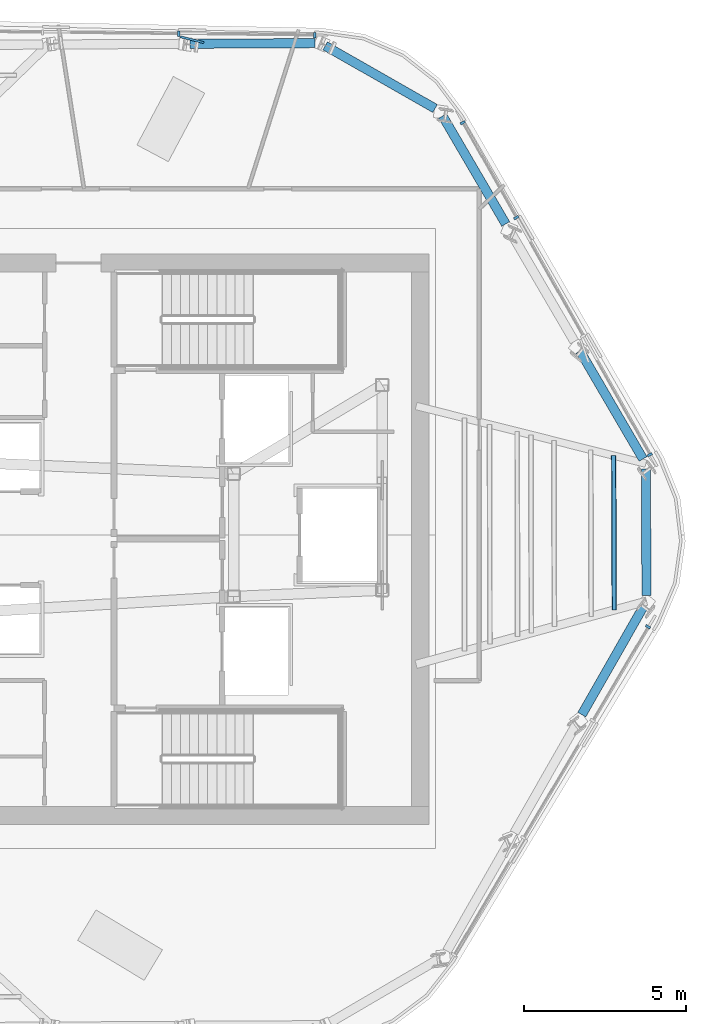
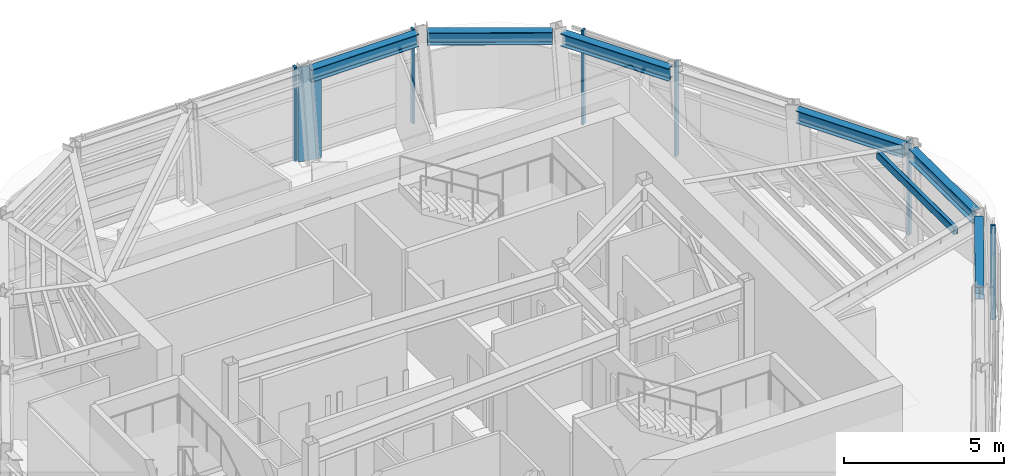
# One storey, part 5 of 13: 8 members, 6 beams, 3 elements without a shape of their own.
"""IFC4 building model written with IfcOpenShell, lengths in metres."""

from ifc_helpers import new_model, si_unit, direction, frame, origin, origin_2d, place, context, subcontext, project, spatial, rectangle, hollow_rectangle, i_section, extrude, material, layer, layer_set, material_profile, profile_set, type_object, element, aggregate, save


model = new_model("IFC4")

# Units and contexts
model_context = context("Model", 3, precision=1e-05, world=origin(), true_north=direction((0.0, 1.0)))
body_context = subcontext(model_context, "Body", "Model", "MODEL_VIEW")
ifc_project = project(units=[si_unit("LENGTHUNIT", "METRE"), si_unit("AREAUNIT", "SQUARE_METRE"), si_unit("VOLUMEUNIT", "CUBIC_METRE"), si_unit("PLANEANGLEUNIT", "RADIAN"), si_unit("MASSUNIT", "GRAM", prefix="KILO")], contexts=[model_context])

# Site, building, storey
site_placement = place(None, origin())
site = spatial("IfcSite", under=ifc_project, at=site_placement, CompositionType="ELEMENT")
building_placement = place(site_placement, origin())
building = spatial("IfcBuilding", under=site, at=building_placement, Name="Valkerne Bourse Tower", CompositionType="ELEMENT")
storey_placement = place(building_placement, frame((0.0, 0.0, 281.199951171875)))
storey = spatial("IfcBuildingStorey", under=building, at=storey_placement, Name="L71", CompositionType="ELEMENT", Elevation=281.199951171875)

# Beams
ifc_material_1 = material(Name="Steel ASTM A992", Category="steel")
ifc_material_profile_1 = material_profile(ifc_material_1, i_section(OverallWidth=0.284423828125, OverallDepth=0.47509765625, WebThickness=0.014892578125, FlangeThickness=0.02392578125, FilletRadius=0.017822265625, at=origin_2d()), Name="W18X106")
ifc_profile_set_1 = profile_set([ifc_material_profile_1], Name="Steel ASTM A992")
beam_type = type_object("IfcBeamType", Name="BM-W18X106", PredefinedType="BEAM", material=ifc_profile_set_1)
for number, where, z_axis, x_axis, name in (
    (1, (52.868408203125, 42.230712890625, 3.362548828125), (-0.999986306612, -0.005233219637, 0.0), (0.005233219637, -0.999986306612, 0.0), "L71 Hexagonal Spandrel Ring Beam 00"),
    (2, (61.129638671875, 21.44677734375, 3.362548828125), (0.495473337127, 0.868623147399, 0.0), (-0.868623147399, 0.495473337127, 0.0), "L71 Hexagonal Spandrel Ring Beam 18"),
):
    element("IfcBeam", number, at=place(storey_placement, frame(where, z_axis=z_axis, x_axis=x_axis)), inside=storey, type_object=beam_type, Name=name, PredefinedType="BEAM", context=body_context, shape_type="SweptSolid", body=[
        extrude(i_section(OverallWidth=0.284423828125, OverallDepth=0.47509765625, WebThickness=0.014892578125, FlangeThickness=0.02392578125, FilletRadius=0.017822265625, at=origin_2d()), origin(), (0.0, 0.0, 1.0), 3.8720703125),
    ])
beam_1_placement = place(storey_placement, frame((63.131591796875, 25.127685546875, 3.362548828125), z_axis=(-0.005237488956, 0.999986284261, 0.0), x_axis=(-0.999986284261, -0.005237488956, 0.0)))
element("IfcBeam", 3, at=beam_1_placement, inside=storey, type_object=beam_type, Name="L71 Hexagonal Spandrel Ring Beam 19", PredefinedType="BEAM", context=body_context, shape_type="SweptSolid", body=[
    extrude(i_section(OverallWidth=0.284423828125, OverallDepth=0.47509765625, WebThickness=0.014892578125, FlangeThickness=0.02392578125, FilletRadius=0.017822265625, at=origin_2d()), origin(), (0.0, 0.0, 1.0), 3.91552734375),
])
beam_2_placement = place(storey_placement, frame((63.0244140625, 29.360107421875, 3.362548828125), z_axis=(-0.50454909697, 0.86338300235, 0.0), x_axis=(-0.86338300235, -0.50454909697, 0.0)))
element("IfcBeam", 4, at=beam_2_placement, inside=storey, type_object=beam_type, Name="L71 Hexagonal Spandrel Ring Beam 20", PredefinedType="BEAM", context=body_context, shape_type="SweptSolid", body=[
    extrude(i_section(OverallWidth=0.284423828125, OverallDepth=0.47509765625, WebThickness=0.014892578125, FlangeThickness=0.02392578125, FilletRadius=0.017822265625, at=origin_2d()), origin(), (0.0, 0.0, 1.0), 3.8720703125),
])
beam_3_placement = place(storey_placement, frame((58.774169921875, 36.63330078125, 3.362548828125), z_axis=(-0.50450209321, 0.863410468982, 0.0), x_axis=(-0.863410468982, -0.50450209321, 0.0)))
element("IfcBeam", 5, at=beam_3_placement, inside=storey, type_object=beam_type, Name="L71 Hexagonal Spandrel Ring Beam 22", PredefinedType="BEAM", context=body_context, shape_type="SweptSolid", body=[
    extrude(i_section(OverallWidth=0.284423828125, OverallDepth=0.47509765625, WebThickness=0.014892578125, FlangeThickness=0.02392578125, FilletRadius=0.017822265625, at=origin_2d()), origin(), (0.0, 0.0, 1.0), 3.871826171875),
])
beam_4_placement = place(storey_placement, frame((56.587158203125, 40.207275390625, 3.362548828125), z_axis=(-0.868607419503, 0.495500908965, 0.0), x_axis=(-0.495500908965, -0.868607419503, 0.0)))
element("IfcBeam", 6, at=beam_4_placement, inside=storey, type_object=beam_type, Name="L71 Hexagonal Spandrel Ring Beam 23", PredefinedType="BEAM", context=body_context, shape_type="SweptSolid", body=[
    extrude(i_section(OverallWidth=0.284423828125, OverallDepth=0.47509765625, WebThickness=0.014892578125, FlangeThickness=0.02392578125, FilletRadius=0.017822265625, at=origin_2d()), origin(), (0.0, 0.0, 1.0), 3.91552734375),
])

# Curtain wall, members
ifc_material_2 = material(Name="Aluminium AA 6063-T6", Category="aluminium")
ifc_layer = layer(ifc_material_2, 0.2451171875)
ifc_layer_set = layer_set([ifc_layer], Name="Aluminium AA 6063-T6")
curtain_wall_type = type_object("IfcCurtainWallType", Name="CW-05", PredefinedType="NOTDEFINED", material=ifc_layer_set)
curtain_wall_1_placement = place(storey_placement, origin())
curtain_wall_1 = element("IfcCurtainWall", 7, at=curtain_wall_1_placement, inside=storey, type_object=curtain_wall_type, Name="L71 Hexagonal Stick Curtain Wall Face 1", PredefinedType="NOTDEFINED")
ifc_material_profile_2 = material_profile(ifc_material_2, rectangle(XDim=0.074951171875, YDim=0.159912109375, at=origin_2d()), Name="CWM-75X160")
ifc_profile_set_2 = profile_set([ifc_material_profile_2], Name="Aluminium AA 6063-T6")
member_type_1 = type_object("IfcMemberType", Name="CW-MUL-160X75", PredefinedType="MULLION", material=ifc_profile_set_2)
member_1_placement = place(storey_placement, frame((52.8603515625, 42.476318359375, 0.0), z_axis=(0.0, 0.0, 1.0), x_axis=(-0.999945187956, 0.010470008742, 0.0)))
member_1 = element("IfcMember", 8, at=member_1_placement, type_object=member_type_1, Name="CW-L71-F1 Jamb Mullion 00A", PredefinedType="MULLION", context=body_context, shape_type="SweptSolid", body=[
    extrude(rectangle(XDim=0.074951171875, YDim=0.159912109375, at=origin_2d()), origin(), (0.0, 0.0, 1.0), 3.60009765625),
])
member_2_placement = place(storey_placement, frame((48.648681640625, 42.520263671875, 0.0), z_axis=(0.0, 0.0, 1.0), x_axis=(-0.999945185354, 0.010470257299, 0.0)))
member_2 = element("IfcMember", 9, at=member_2_placement, type_object=member_type_1, Name="CW-L71-F1 Jamb Mullion 01A", PredefinedType="MULLION", context=body_context, shape_type="SweptSolid", body=[
    extrude(rectangle(XDim=0.074951171875, YDim=0.159912109375, at=origin_2d()), origin(), (0.0, 0.0, 1.0), 3.60009765625),
])
aggregate(curtain_wall_1, [member_1, member_2])

# Curtain wall, member
curtain_wall_2_placement = place(storey_placement, origin())
curtain_wall_2 = element("IfcCurtainWall", 10, at=curtain_wall_2_placement, inside=storey, type_object=curtain_wall_type, Name="L71 Hexagonal Stick Curtain Wall Face 5", PredefinedType="NOTDEFINED")
member_3_placement = place(storey_placement, frame((63.17724609375, 24.166748046875, 0.0), z_axis=(0.0, 0.0, 1.0), x_axis=(0.509038826061, 0.860743558537, 0.0)))
member_3 = element("IfcMember", 11, at=member_3_placement, type_object=member_type_1, Name="CW-L71-F5 Jamb Mullion 02B", PredefinedType="MULLION", context=body_context, shape_type="SweptSolid", body=[
    extrude(rectangle(XDim=0.074951171875, YDim=0.159912109375, at=origin_2d()), origin(), (0.0, 0.0, 1.0), 3.60009765625),
])
aggregate(curtain_wall_2, [member_3])

# Curtain wall, members
curtain_wall_3_placement = place(storey_placement, origin())
curtain_wall_3 = element("IfcCurtainWall", 12, at=curtain_wall_3_placement, inside=storey, type_object=curtain_wall_type, Name="L71 Hexagonal Stick Curtain Wall Face 6", PredefinedType="NOTDEFINED")
member_4_placement = place(storey_placement, frame((63.23291015625, 29.489501953125, 0.0), z_axis=(0.0, 0.0, 1.0), x_axis=(-0.490911504685, 0.871209443571, 0.0)))
member_4 = element("IfcMember", 13, at=member_4_placement, type_object=member_type_1, Name="CW-L71-F6 Jamb Mullion 00A", PredefinedType="MULLION", context=body_context, shape_type="SweptSolid", body=[
    extrude(rectangle(XDim=0.074951171875, YDim=0.159912109375, at=origin_2d()), origin(), (0.0, 0.0, 1.0), 3.60009765625),
])
member_5_placement = place(storey_placement, frame((59.097412109375, 36.82861328125, 0.0), z_axis=(0.0, 0.0, 1.0), x_axis=(-0.490901350772, 0.871215165049, 0.0)))
member_5 = element("IfcMember", 14, at=member_5_placement, type_object=member_type_1, Name="CW-L71-F6 Jamb Mullion 02A", PredefinedType="MULLION", context=body_context, shape_type="SweptSolid", body=[
    extrude(rectangle(XDim=0.074951171875, YDim=0.159912109375, at=origin_2d()), origin(), (0.0, 0.0, 1.0), 3.60009765625),
])
member_6_placement = place(storey_placement, frame((57.442138671875, 39.7666015625, 0.0), z_axis=(0.0, 0.0, 1.0), x_axis=(-0.490901350772, 0.871215165049, 0.0)))
member_6 = element("IfcMember", 15, at=member_6_placement, type_object=member_type_1, Name="CW-L71-F6 Jamb Mullion 02B", PredefinedType="MULLION", context=body_context, shape_type="SweptSolid", body=[
    extrude(rectangle(XDim=0.074951171875, YDim=0.159912109375, at=origin_2d()), origin(), (0.0, 0.0, 1.0), 3.60009765625),
])
aggregate(curtain_wall_3, [member_4, member_5, member_6])

# Members
ifc_material_3 = material(Name="Bronze Anodised Aluminium AA 6063-T6", Category="aluminium")
ifc_material_profile_3 = material_profile(ifc_material_3, rectangle(XDim=0.06494140625, YDim=0.75, at=origin_2d()), Name="FIN-65X750")
ifc_profile_set_3 = profile_set([ifc_material_profile_3], Name="Bronze Anodised Aluminium AA 6063-T6")
member_type_2 = type_object("IfcMemberType", Name="FIN-SOLAR-650", PredefinedType="USERDEFINED", material=ifc_profile_set_3)
member_7_placement = place(storey_placement, frame((49.066650390625, 42.3359375, 0.004150390625), z_axis=(0.0, 0.0, 1.0), x_axis=(0.243010400127, 0.970023682922, 0.0)))
element("IfcMember", 16, at=member_7_placement, inside=storey, type_object=member_type_2, Name="L71 Bronze Anodised Solar Fin F1-01", ObjectType="SOLAR_FIN", PredefinedType="USERDEFINED", context=body_context, shape_type="SweptSolid", body=[
    extrude(rectangle(XDim=0.06494140625, YDim=0.75, at=origin_2d()), origin(), (0.0, 0.0, 1.0), 3.591796875),
])
ifc_material_4 = material(Name="Steel ASTM A500 Grade C", Category="steel")
ifc_material_profile_4 = material_profile(ifc_material_4, hollow_rectangle(XDim=0.14990234375, YDim=0.300048828125, WallThickness=0.012451171875, OuterFilletRadius=0.02490234375, at=origin_2d()), Name="HSS300X150X12.5")
ifc_profile_set_4 = profile_set([ifc_material_profile_4], Name="Steel ASTM A500 Grade C")
member_type_3 = type_object("IfcMemberType", Name="MBR-HSS300X150X12.5", PredefinedType="PURLIN", material=ifc_profile_set_4)
member_8_placement = place(storey_placement, frame((62.1337890625, 24.68359375, 3.43994140625), z_axis=(-0.003984032126, 0.999992063713, 0.0), x_axis=(-0.999992063713, -0.003984032126, 0.0)))
element("IfcMember", 17, at=member_8_placement, inside=storey, type_object=member_type_3, Name="L71 Secondary Composite Floor Purlin T-19", PredefinedType="PURLIN", context=body_context, shape_type="SweptSolid", body=[
    extrude(hollow_rectangle(XDim=0.14990234375, YDim=0.300048828125, WallThickness=0.012451171875, OuterFilletRadius=0.02490234375, at=origin_2d()), origin(), (0.0, 0.0, 1.0), 4.77978515625),
])

save(model, "model.ifc")
